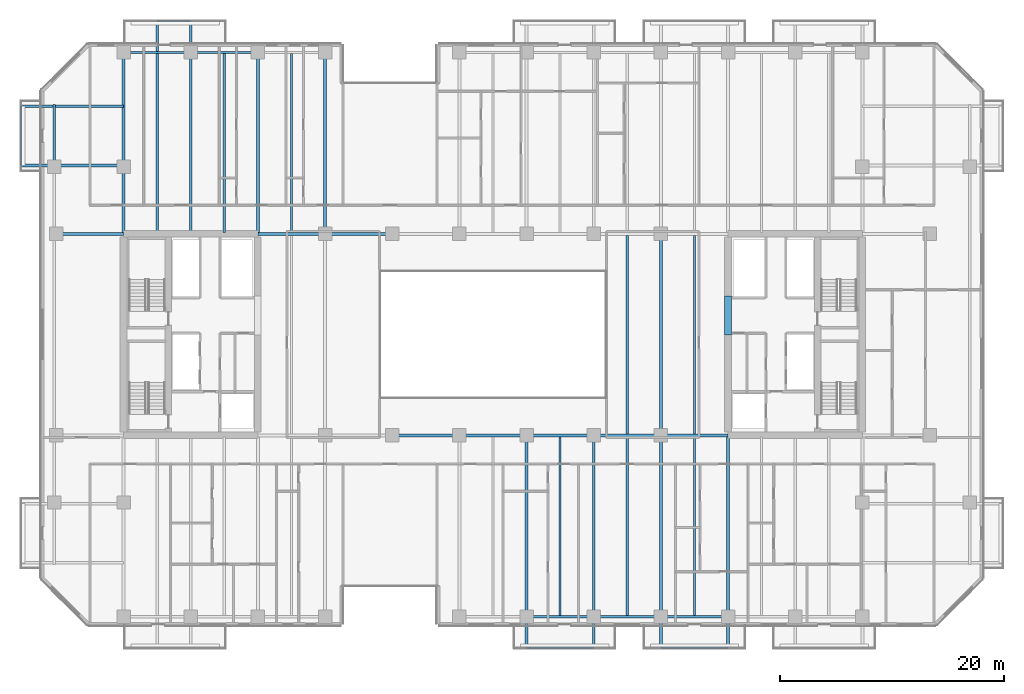
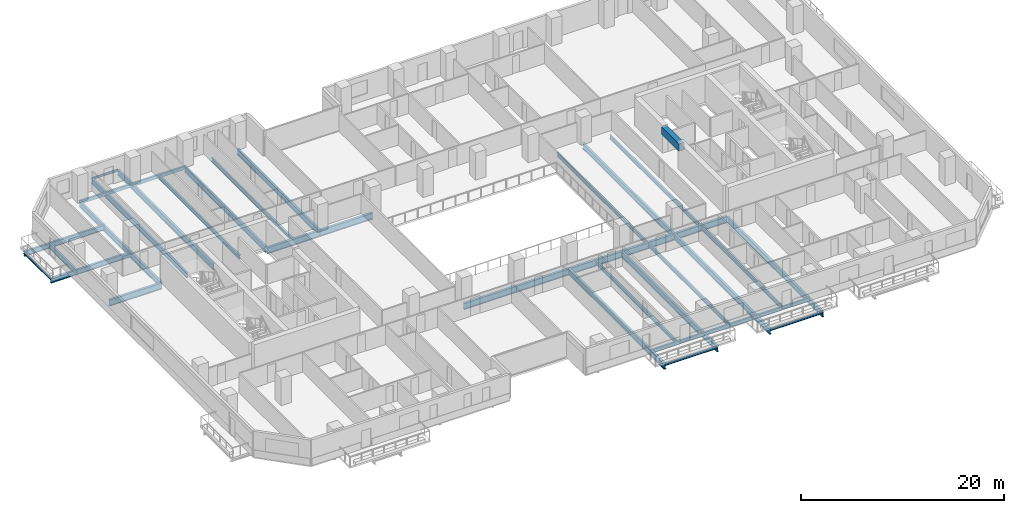
# One storey, part 5 of 26: 38 beams.
"""IFC4 building model written with IfcOpenShell, lengths in metres."""

from ifc_helpers import new_model, si_unit, direction, frame, origin, origin_2d, place, context, subcontext, project, spatial, rectangle, hollow_rectangle, i_section, extrude, material, material_profile, profile_set, type_object, element, save


model = new_model("IFC4")

# Units and contexts
model_context = context("Model", 3, precision=1e-05, world=origin(), true_north=direction((0.0, 1.0)))
body_context = subcontext(model_context, "Body", "Model", "MODEL_VIEW")
ifc_project = project(units=[si_unit("LENGTHUNIT", "METRE"), si_unit("AREAUNIT", "SQUARE_METRE"), si_unit("VOLUMEUNIT", "CUBIC_METRE"), si_unit("PLANEANGLEUNIT", "RADIAN"), si_unit("MASSUNIT", "GRAM", prefix="KILO")], contexts=[model_context])

# Site, building, storey
site_placement = place(None, origin())
site = spatial("IfcSite", under=ifc_project, at=site_placement, CompositionType="ELEMENT")
building_placement = place(site_placement, origin())
building = spatial("IfcBuilding", under=site, at=building_placement, Name="Tanjung Sevakor Pilgrim Tower", CompositionType="ELEMENT")
storey_placement = place(building_placement, frame((0.0, 0.0, 45.5400390625)))
storey = spatial("IfcBuildingStorey", under=building, at=storey_placement, Name="L12", CompositionType="ELEMENT", Elevation=45.5400390625)

# Beams
ifc_material_1 = material(Name="Steel S355J2", Category="steel")
ifc_material_profile_1 = material_profile(ifc_material_1, i_section(OverallWidth=0.26806640625, OverallDepth=0.769775390625, WebThickness=0.015625, FlangeThickness=0.025390625, FilletRadius=0.0166015625, at=origin_2d()))
ifc_profile_set_1 = profile_set([ifc_material_profile_1], Name="Steel S355J2")
beam_type_1 = type_object("IfcBeamType", Name="BM-B-G1-UB_762x267x197", PredefinedType="BEAM", material=ifc_profile_set_1)
for number, where, z_axis, x_axis, name in (
    (1, (48.0, 24.60009765625, -0.60498046875), (1.0, 0.0, 0.0), (0.0, 1.0, 0.0), "L12 Primary Floor Girder MAIN Y246-04"),
    (2, (54.0, 24.60009765625, -0.60498046875), (1.0, 0.0, 0.0), (0.0, 1.0, 0.0), "L12 Primary Floor Girder MAIN Y246-05"),
    (3, (60.0, 24.60009765625, -0.60498046875), (1.0, 0.0, 0.0), (0.0, 1.0, 0.0), "L12 Primary Floor Girder MAIN Y246-06"),
    (4, (66.0, 24.60009765625, -0.60498046875), (1.0, 0.0, 0.0), (0.0, 1.0, 0.0), "L12 Primary Floor Girder MAIN Y246-07"),
    (5, (72.0, 24.60009765625, -0.60498046875), (1.0, 0.0, 0.0), (0.0, 1.0, 0.0), "L12 Primary Floor Girder MAIN Y246-08"),
    (6, (18.0, 42.60009765625, -0.60498046875), (1.0, 0.0, 0.0), (0.0, 1.0, 0.0), "L12 Primary Floor Girder MAIN Y426-01"),
    (7, (36.0, 42.60009765625, -0.60498046875), (1.0, 0.0, 0.0), (0.0, 1.0, 0.0), "L12 Primary Floor Girder MAIN Y426-02"),
    (8, (42.0, 42.60009765625, -0.60498046875), (1.0, 0.0, 0.0), (0.0, 1.0, 0.0), "L12 Primary Floor Girder MAIN Y426-03"),
):
    element("IfcBeam", number, at=place(storey_placement, frame(where, z_axis=z_axis, x_axis=x_axis)), inside=storey, type_object=beam_type_1, Name=name, PredefinedType="BEAM", context=body_context, shape_type="SweptSolid", body=[
        extrude(i_section(OverallWidth=0.26806640625, OverallDepth=0.769775390625, WebThickness=0.015625, FlangeThickness=0.025390625, FilletRadius=0.0166015625, at=origin_2d()), origin(), (0.0, 0.0, 1.0), 6.0),
    ])
ifc_material_2 = material(Name="Steel S355J2", Category="steel")
ifc_material_profile_2 = material_profile(ifc_material_2, i_section(OverallWidth=0.25439453125, OverallDepth=0.6875, WebThickness=0.01318359375, FlangeThickness=0.02099609375, FilletRadius=0.01513671875, at=origin_2d()))
ifc_profile_set_2 = profile_set([ifc_material_profile_2], Name="Steel S355J2")
beam_type_2 = type_object("IfcBeamType", Name="BM-B-G2-UB_686x254x152", PredefinedType="BEAM", material=ifc_profile_set_2)
beam_1_placement = place(storey_placement, frame((24.0, 42.73388671875, -0.563720703125), z_axis=(0.0, 1.0, 0.0), x_axis=(-1.0, 0.0, 0.0)))
element("IfcBeam", 9, at=beam_1_placement, inside=storey, type_object=beam_type_2, Name="L12 MAIN Girder 002", PredefinedType="BEAM", context=body_context, shape_type="SweptSolid", body=[
    extrude(i_section(OverallWidth=0.25439453125, OverallDepth=0.6875, WebThickness=0.01318359375, FlangeThickness=0.02099609375, FilletRadius=0.01513671875, at=origin_2d()), origin(), (0.0, 0.0, 1.0), 16.066162109375),
])
beam_2_placement = place(storey_placement, frame((30.0, 42.73388671875, -0.563720703125), z_axis=(0.0, 1.0, 0.0), x_axis=(-1.0, 0.0, 0.0)))
element("IfcBeam", 10, at=beam_2_placement, inside=storey, type_object=beam_type_2, Name="L12 Balcony Cantilever Beam MAIN-N1-2", PredefinedType="BEAM", context=body_context, shape_type="SweptSolid", body=[
    extrude(i_section(OverallWidth=0.25439453125, OverallDepth=0.6875, WebThickness=0.01318359375, FlangeThickness=0.02099609375, FilletRadius=0.01513671875, at=origin_2d()), origin(), (0.0, 0.0, 1.0), 18.84619140625),
])
beam_3_placement = place(storey_placement, frame((36.0, 42.73388671875, -0.563720703125), z_axis=(0.0, 1.0, 0.0), x_axis=(-1.0, 0.0, 0.0)))
element("IfcBeam", 11, at=beam_3_placement, inside=storey, type_object=beam_type_2, Name="L12 MAIN Girder 006", PredefinedType="BEAM", context=body_context, shape_type="SweptSolid", body=[
    extrude(i_section(OverallWidth=0.25439453125, OverallDepth=0.6875, WebThickness=0.01318359375, FlangeThickness=0.02099609375, FilletRadius=0.01513671875, at=origin_2d()), origin(), (0.0, 0.0, 1.0), 16.066162109375),
])
beam_4_placement = place(storey_placement, frame((42.0, 42.60009765625, -0.563720703125), z_axis=(0.0, 1.0, 0.0), x_axis=(-1.0, 0.0, 0.0)))
element("IfcBeam", 12, at=beam_4_placement, inside=storey, type_object=beam_type_2, Name="L12 MAIN Girder 012", PredefinedType="BEAM", context=body_context, shape_type="SweptSolid", body=[
    extrude(i_section(OverallWidth=0.25439453125, OverallDepth=0.6875, WebThickness=0.01318359375, FlangeThickness=0.02099609375, FilletRadius=0.01513671875, at=origin_2d()), origin(), (0.0, 0.0, 1.0), 16.199951171875),
])
for number, where, z_axis, x_axis, name in (
    (13, (60.0, 24.60009765625, -0.563720703125), (0.0, -1.0, 0.0), (1.0, 0.0, 0.0), "L12 Balcony Cantilever Beam MAIN-S2-1"),
    (14, (66.0, 24.60009765625, -0.563720703125), (0.0, -1.0, 0.0), (1.0, 0.0, 0.0), "L12 Balcony Cantilever Beam MAIN-S2-2"),
    (15, (72.0, 24.60009765625, -0.563720703125), (0.0, -1.0, 0.0), (1.0, 0.0, 0.0), "L12 Balcony Cantilever Beam MAIN-S3-1"),
):
    element("IfcBeam", number, at=place(storey_placement, frame(where, z_axis=z_axis, x_axis=x_axis)), inside=storey, type_object=beam_type_2, Name=name, PredefinedType="BEAM", context=body_context, shape_type="SweptSolid", body=[
        extrude(i_section(OverallWidth=0.25439453125, OverallDepth=0.6875, WebThickness=0.01318359375, FlangeThickness=0.02099609375, FilletRadius=0.01513671875, at=origin_2d()), origin(), (0.0, 0.0, 1.0), 18.97998046875),
    ])
beam_5_placement = place(storey_placement, frame((72.0, 24.60009765625, -0.563720703125), z_axis=(0.0, 1.0, 0.0), x_axis=(-1.0, 0.0, 0.0)))
element("IfcBeam", 16, at=beam_5_placement, inside=storey, type_object=beam_type_2, Name="L12 MAIN Girder 022", PredefinedType="BEAM", context=body_context, shape_type="SweptSolid", body=[
    extrude(i_section(OverallWidth=0.25439453125, OverallDepth=0.6875, WebThickness=0.01318359375, FlangeThickness=0.02099609375, FilletRadius=0.01513671875, at=origin_2d()), origin(), (0.0, 0.0, 1.0), 18.0),
])
beam_6_placement = place(storey_placement, frame((78.0, 24.466064453125, -0.563720703125), z_axis=(0.0, -1.0, 0.0), x_axis=(1.0, 0.0, 0.0)))
element("IfcBeam", 17, at=beam_6_placement, inside=storey, type_object=beam_type_2, Name="L12 Balcony Cantilever Beam MAIN-S3-2", PredefinedType="BEAM", context=body_context, shape_type="SweptSolid", body=[
    extrude(i_section(OverallWidth=0.25439453125, OverallDepth=0.6875, WebThickness=0.01318359375, FlangeThickness=0.02099609375, FilletRadius=0.01513671875, at=origin_2d()), origin(), (0.0, 0.0, 1.0), 18.845947265625),
])
ifc_material_3 = material(Name="Steel S355J2", Category="steel")
ifc_material_profile_3 = material_profile(ifc_material_3, i_section(OverallWidth=0.22900390625, OverallDepth=0.6123046875, WebThickness=0.011962890625, FlangeThickness=0.01953125, FilletRadius=0.0126953125, at=origin_2d()))
ifc_profile_set_3 = profile_set([ifc_material_profile_3], Name="Steel S355J2")
beam_type_3 = type_object("IfcBeamType", Name="BM-B-G4-UB_610x229x125", PredefinedType="BEAM", material=ifc_profile_set_3)
beam_7_placement = place(storey_placement, frame((17.800048828125, 48.60009765625, -0.526123046875), z_axis=(0.0, 1.0, 0.0), x_axis=(-1.0, 0.0, 0.0)))
element("IfcBeam", 18, at=beam_7_placement, inside=storey, type_object=beam_type_3, Name="L12 Short-End Edge Extension N-W", PredefinedType="BEAM", context=body_context, shape_type="SweptSolid", body=[
    extrude(i_section(OverallWidth=0.22900390625, OverallDepth=0.6123046875, WebThickness=0.011962890625, FlangeThickness=0.01953125, FilletRadius=0.0126953125, at=origin_2d()), origin(), (0.0, 0.0, 1.0), 5.5498046875),
])
for number, where, z_axis, x_axis, name in (
    (19, (24.0, 48.699951171875, -0.526123046875), (-1.0, 0.0, 0.0), (0.0, -1.0, 0.0), "L12 Balcony Overhanging Beam MAIN-W2-1"),
    (20, (24.0, 54.0, -0.526123046875), (-1.0, 0.0, 0.0), (0.0, -1.0, 0.0), "L12 Balcony Overhanging Beam MAIN-W2-2"),
):
    element("IfcBeam", number, at=place(storey_placement, frame(where, z_axis=z_axis, x_axis=x_axis)), inside=storey, type_object=beam_type_3, Name=name, PredefinedType="BEAM", context=body_context, shape_type="SweptSolid", body=[
        extrude(i_section(OverallWidth=0.22900390625, OverallDepth=0.6123046875, WebThickness=0.011962890625, FlangeThickness=0.01953125, FilletRadius=0.0126953125, at=origin_2d()), origin(), (0.0, 0.0, 1.0), 9.1298828125),
    ])
beam_8_placement = place(storey_placement, frame((27.0, 42.73388671875, -0.526123046875), z_axis=(0.0, 1.0, 0.0), x_axis=(-1.0, 0.0, 0.0)))
element("IfcBeam", 21, at=beam_8_placement, inside=storey, type_object=beam_type_3, Name="L12 Balcony Cantilever Beam MAIN-N1-1", PredefinedType="BEAM", context=body_context, shape_type="SweptSolid", body=[
    extrude(i_section(OverallWidth=0.22900390625, OverallDepth=0.6123046875, WebThickness=0.011962890625, FlangeThickness=0.01953125, FilletRadius=0.0126953125, at=origin_2d()), origin(), (0.0, 0.0, 1.0), 18.84619140625),
])
ifc_material_4 = material(Name="Steel S355J2", Category="steel")
ifc_material_profile_4 = material_profile(ifc_material_4, i_section(OverallWidth=0.19140625, OverallDepth=0.4599609375, WebThickness=0.010009765625, FlangeThickness=0.01611328125, FilletRadius=0.01025390625, at=origin_2d()))
ifc_profile_set_4 = profile_set([ifc_material_profile_4], Name="Steel S355J2")
beam_type_4 = type_object("IfcBeamType", Name="BM-B-J2-UB_457x191x82", PredefinedType="JOIST", material=ifc_profile_set_4)
for number, where, z_axis, x_axis, name in (
    (22, (33.0, 42.73388671875, -0.449951171875), (0.0, 1.0, 0.0), (-1.0, 0.0, 0.0), "L12 MAIN Joist 004"),
    (23, (39.0, 42.73388671875, -0.449951171875), (0.0, 1.0, 0.0), (-1.0, 0.0, 0.0), "L12 MAIN Joist 009"),
    (24, (63.0, 8.5, -0.449951171875), (0.0, 1.0, 0.0), (-1.0, 0.0, 0.0), "L12 MAIN Joist 017"),
    (25, (69.0, 8.5, -0.449951171875), (0.0, 1.0, 0.0), (-1.0, 0.0, 0.0), "L12 MAIN Joist 019"),
):
    element("IfcBeam", number, at=place(storey_placement, frame(where, z_axis=z_axis, x_axis=x_axis)), inside=storey, type_object=beam_type_4, Name=name, PredefinedType="JOIST", context=body_context, shape_type="SweptSolid", body=[
        extrude(i_section(OverallWidth=0.19140625, OverallDepth=0.4599609375, WebThickness=0.010009765625, FlangeThickness=0.01611328125, FilletRadius=0.01025390625, at=origin_2d()), origin(), (0.0, 0.0, 1.0), 15.966064453125),
    ])
beam_9_placement = place(storey_placement, frame((69.0, 24.73388671875, -0.449951171875), z_axis=(0.0, 1.0, 0.0), x_axis=(-1.0, 0.0, 0.0)))
element("IfcBeam", 26, at=beam_9_placement, inside=storey, type_object=beam_type_4, Name="L12 MAIN Joist 020", PredefinedType="JOIST", context=body_context, shape_type="SweptSolid", body=[
    extrude(i_section(OverallWidth=0.19140625, OverallDepth=0.4599609375, WebThickness=0.010009765625, FlangeThickness=0.01611328125, FilletRadius=0.01025390625, at=origin_2d()), origin(), (0.0, 0.0, 1.0), 17.732177734375),
])
beam_10_placement = place(storey_placement, frame((75.0, 8.5, -0.449951171875), z_axis=(0.0, 1.0, 0.0), x_axis=(-1.0, 0.0, 0.0)))
element("IfcBeam", 27, at=beam_10_placement, inside=storey, type_object=beam_type_4, Name="L12 MAIN Joist 023", PredefinedType="JOIST", context=body_context, shape_type="SweptSolid", body=[
    extrude(i_section(OverallWidth=0.19140625, OverallDepth=0.4599609375, WebThickness=0.010009765625, FlangeThickness=0.01611328125, FilletRadius=0.01025390625, at=origin_2d()), origin(), (0.0, 0.0, 1.0), 15.966064453125),
])
beam_11_placement = place(storey_placement, frame((75.0, 24.73388671875, -0.449951171875), z_axis=(0.0, 1.0, 0.0), x_axis=(-1.0, 0.0, 0.0)))
element("IfcBeam", 28, at=beam_11_placement, inside=storey, type_object=beam_type_4, Name="L12 MAIN Joist 024", PredefinedType="JOIST", context=body_context, shape_type="SweptSolid", body=[
    extrude(i_section(OverallWidth=0.19140625, OverallDepth=0.4599609375, WebThickness=0.010009765625, FlangeThickness=0.01611328125, FilletRadius=0.01025390625, at=origin_2d()), origin(), (0.0, 0.0, 1.0), 17.732177734375),
])
ifc_material_5 = material(Name="Steel S355J2", Category="steel")
ifc_material_profile_5 = material_profile(ifc_material_5, i_section(OverallWidth=0.146484375, OverallDepth=0.256103515625, WebThickness=0.00634765625, FlangeThickness=0.010986328125, FilletRadius=0.007568359375, at=origin_2d()))
ifc_profile_set_5 = profile_set([ifc_material_profile_5], Name="Steel S355J2")
beam_type_5 = type_object("IfcBeamType", Name="BM-B-J6-UB_254x146x37", PredefinedType="JOIST", material=ifc_profile_set_5)
beam_12_placement = place(storey_placement, frame((27.0, 61.580078125, -0.328125), z_axis=(1.0, 0.0, 0.0), x_axis=(0.0, 1.0, 0.0)))
element("IfcBeam", 29, at=beam_12_placement, inside=storey, type_object=beam_type_5, Name="L12 Balcony Rim Tie MAIN-N1", PredefinedType="JOIST", context=body_context, shape_type="SweptSolid", body=[
    extrude(i_section(OverallWidth=0.146484375, OverallDepth=0.256103515625, WebThickness=0.00634765625, FlangeThickness=0.010986328125, FilletRadius=0.007568359375, at=origin_2d()), origin(), (0.0, 0.0, 1.0), 3.0),
])
for number, where, z_axis, x_axis, name in (
    (30, (60.0, 5.6201171875, -0.328125), (1.0, 0.0, 0.0), (0.0, 1.0, 0.0), "L12 Balcony Rim Tie MAIN-S2"),
    (31, (72.0, 5.6201171875, -0.328125), (1.0, 0.0, 0.0), (0.0, 1.0, 0.0), "L12 Balcony Rim Tie MAIN-S3"),
):
    element("IfcBeam", number, at=place(storey_placement, frame(where, z_axis=z_axis, x_axis=x_axis)), inside=storey, type_object=beam_type_5, Name=name, PredefinedType="JOIST", context=body_context, shape_type="SweptSolid", body=[
        extrude(i_section(OverallWidth=0.146484375, OverallDepth=0.256103515625, WebThickness=0.00634765625, FlangeThickness=0.010986328125, FilletRadius=0.007568359375, at=origin_2d()), origin(), (0.0, 0.0, 1.0), 6.0),
    ])
beam_13_placement = place(storey_placement, frame((14.8701171875, 48.699951171875, -0.328125), z_axis=(0.0, 1.0, 0.0), x_axis=(-1.0, 0.0, 0.0)))
element("IfcBeam", 32, at=beam_13_placement, inside=storey, type_object=beam_type_5, Name="L12 Balcony Rim Tie MAIN-W2", PredefinedType="JOIST", context=body_context, shape_type="SweptSolid", body=[
    extrude(i_section(OverallWidth=0.146484375, OverallDepth=0.256103515625, WebThickness=0.00634765625, FlangeThickness=0.010986328125, FilletRadius=0.007568359375, at=origin_2d()), origin(), (0.0, 0.0, 1.0), 5.300048828125),
])
ifc_material_6 = material(Name="Concrete C60/75", Category="concrete")
ifc_material_profile_6 = material_profile(ifc_material_6, rectangle(XDim=0.60009765625, YDim=0.89990234375, at=origin_2d()))
ifc_profile_set_6 = profile_set([ifc_material_profile_6], Name="Concrete C60/75")
beam_type_6 = type_object("IfcBeamType", Name="BM-B-LN1-RC-BM_600x900", PredefinedType="LINTEL", material=ifc_profile_set_6)
beam_14_placement = place(storey_placement, frame((78.0, 33.550048828125, 2.6298828125), z_axis=(0.0, 1.0, 0.0), x_axis=(-1.0, 0.0, 0.0)))
element("IfcBeam", 33, at=beam_14_placement, inside=storey, type_object=beam_type_6, Name="L12 E Core Coupling Lintel", PredefinedType="LINTEL", context=body_context, shape_type="SweptSolid", body=[
    extrude(rectangle(XDim=0.60009765625, YDim=0.89990234375, at=origin_2d()), origin(), (0.0, 0.0, 1.0), 3.5),
])
ifc_material_7 = material(Name="Steel S355J2", Category="steel")
ifc_material_profile_7 = material_profile(ifc_material_7, hollow_rectangle(XDim=0.199951171875, YDim=0.39990234375, WallThickness=0.01611328125, at=origin_2d()))
ifc_profile_set_7 = profile_set([ifc_material_profile_7], Name="Steel S355J2")
beam_type_7 = type_object("IfcBeamType", Name="BM-B-SP2-RHS_400x200x16", PredefinedType="SPANDREL", material=ifc_profile_set_7)
for number, where, z_axis, x_axis, name in (
    (34, (24.0, 58.800048828125, -0.419921875), (1.0, 0.0, 0.0), (0.0, 1.0, 0.0), "L12 Spandrel MAIN N-02"),
    (35, (30.0, 58.800048828125, -0.419921875), (1.0, 0.0, 0.0), (0.0, 1.0, 0.0), "L12 Spandrel MAIN N-04"),
    (36, (60.0, 8.39990234375, -0.419921875), (1.0, 0.0, 0.0), (0.0, 1.0, 0.0), "L12 Spandrel MAIN S-09"),
    (37, (66.0, 8.39990234375, -0.419921875), (1.0, 0.0, 0.0), (0.0, 1.0, 0.0), "L12 Spandrel MAIN S-11"),
    (38, (72.0, 8.39990234375, -0.419921875), (1.0, 0.0, 0.0), (0.0, 1.0, 0.0), "L12 Spandrel MAIN S-13"),
):
    element("IfcBeam", number, at=place(storey_placement, frame(where, z_axis=z_axis, x_axis=x_axis)), inside=storey, type_object=beam_type_7, Name=name, PredefinedType="SPANDREL", context=body_context, shape_type="SweptSolid", body=[
        extrude(hollow_rectangle(XDim=0.199951171875, YDim=0.39990234375, WallThickness=0.01611328125, at=origin_2d()), origin(), (0.0, 0.0, 1.0), 6.0),
    ])

save(model, "model.ifc")
